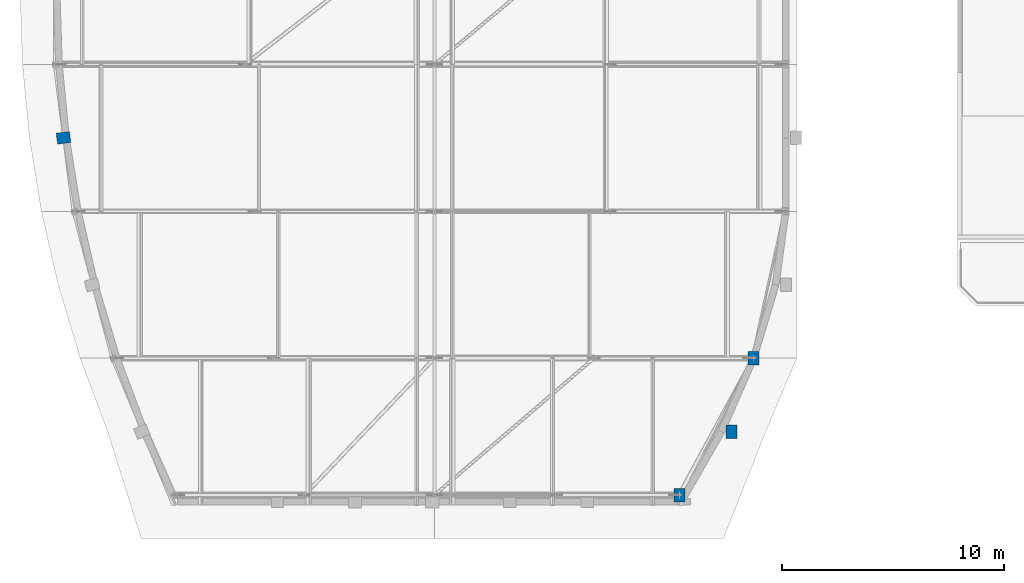
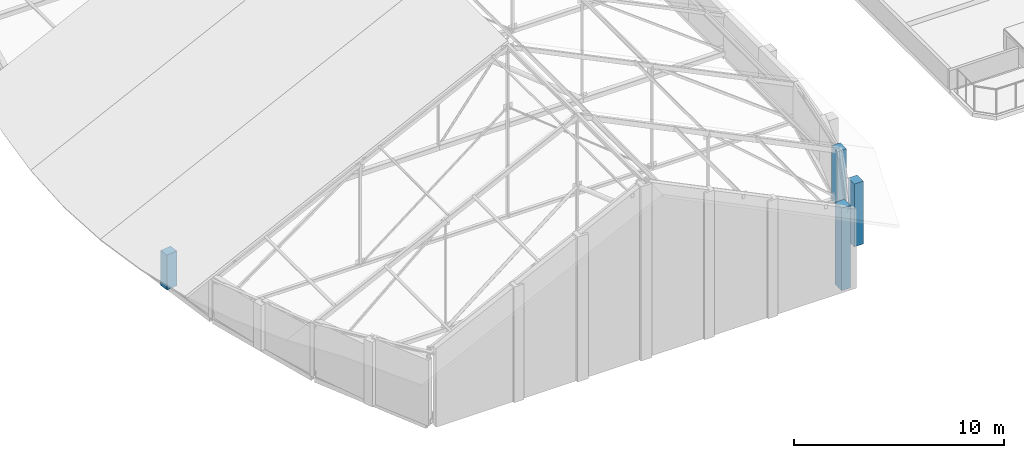
# One storey, part 2 of 78: 4 columns.
"""IFC4 building model written with IfcOpenShell, lengths in metres."""

from ifc_helpers import new_model, si_unit, direction, frame, origin, origin_2d, place, context, subcontext, project, spatial, rectangle, extrude, material, material_profile, profile_set, type_object, element, save


model = new_model("IFC4")

# Units and contexts
model_context = context("Model", 3, precision=1e-05, world=origin(), true_north=direction((0.0, 1.0)))
body_context = subcontext(model_context, "Body", "Model", "MODEL_VIEW")
ifc_project = project(units=[si_unit("LENGTHUNIT", "METRE"), si_unit("AREAUNIT", "SQUARE_METRE"), si_unit("VOLUMEUNIT", "CUBIC_METRE"), si_unit("PLANEANGLEUNIT", "RADIAN"), si_unit("MASSUNIT", "GRAM", prefix="KILO")], contexts=[model_context])

# Site, building, storey
site_placement = place(None, origin())
site = spatial("IfcSite", under=ifc_project, at=site_placement, CompositionType="ELEMENT")
building_placement = place(site_placement, origin())
building = spatial("IfcBuilding", under=site, at=building_placement, Name="Kelanivale Promenade Academy", CompositionType="ELEMENT")
storey_placement = place(building_placement, frame((0.0, 0.0, 16.199951171875)))
storey = spatial("IfcBuildingStorey", under=building, at=storey_placement, Name="L04", CompositionType="ELEMENT", Elevation=16.199951171875)

# Columns
ifc_material = material(Name="Concrete C40/50", Category="concrete")
ifc_material_profile = material_profile(ifc_material, rectangle(XDim=0.5, YDim=0.60009765625, at=origin_2d()), Name="RC-PIL 500x600")
ifc_profile_set = profile_set([ifc_material_profile], Name="Concrete C40/50")
column_type = type_object("IfcColumnType", Name="PL-18 RC-PIL 500x600", PredefinedType="PILASTER", material=ifc_profile_set)
column_1_placement = place(storey_placement, frame((2.864013671875, 49.571044921875, 0.0), z_axis=(0.0, 0.0, 1.0), x_axis=(-0.12741083733, 0.991850028246, 0.0)))
element("IfcColumn", 1, at=column_1_placement, inside=storey, type_object=column_type, Name="Column PL-18 at (2.9, 49.6) L04", PredefinedType="PILASTER", context=body_context, shape_type="SweptSolid", body=[
    extrude(rectangle(XDim=0.5, YDim=0.60009765625, at=origin_2d()), origin(), (0.0, 0.0, 1.0), 2.029052734375),
])
column_2_placement = place(storey_placement, frame((30.64990234375, 33.449951171875, 0.0), z_axis=(0.0, 0.0, 1.0), x_axis=(1.0, 0.0, 0.0)))
element("IfcColumn", 2, at=column_2_placement, inside=storey, type_object=column_type, Name="Column PL-18 at (30.6, 33.5) L04", PredefinedType="PILASTER", context=body_context, shape_type="SweptSolid", body=[
    extrude(rectangle(XDim=0.5, YDim=0.60009765625, at=origin_2d()), origin(), (0.0, 0.0, 1.0), 4.804931640625),
])
column_3_placement = place(storey_placement, frame((33.010009765625, 36.31396484375, 0.0), z_axis=(0.0, 0.0, 1.0), x_axis=(1.0, 0.0, 0.0)))
element("IfcColumn", 3, at=column_3_placement, inside=storey, type_object=column_type, Name="Column PL-18 at (33.0, 36.3) L04", PredefinedType="PILASTER", context=body_context, shape_type="SweptSolid", body=[
    extrude(rectangle(XDim=0.5, YDim=0.60009765625, at=origin_2d()), origin(), (0.0, 0.0, 1.0), 3.653076171875),
])
column_4_placement = place(storey_placement, frame((34.0, 39.62890625, 0.0), z_axis=(0.0, 0.0, 1.0), x_axis=(1.0, 0.0, 0.0)))
element("IfcColumn", 4, at=column_4_placement, inside=storey, type_object=column_type, Name="Column PL-18 at (34.0, 39.6) L04", PredefinedType="PILASTER", context=body_context, shape_type="SweptSolid", body=[
    extrude(rectangle(XDim=0.5, YDim=0.60009765625, at=origin_2d()), origin(), (0.0, 0.0, 1.0), 3.1689453125),
])

save(model, "model.ifc")
